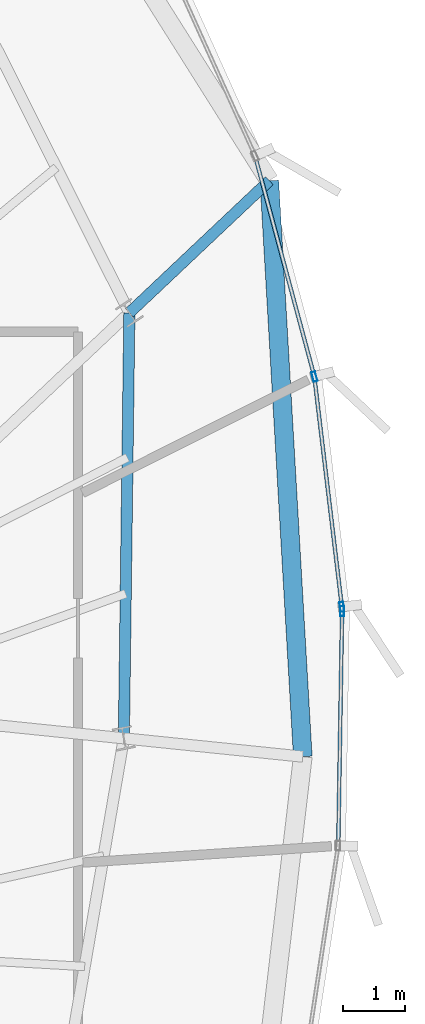
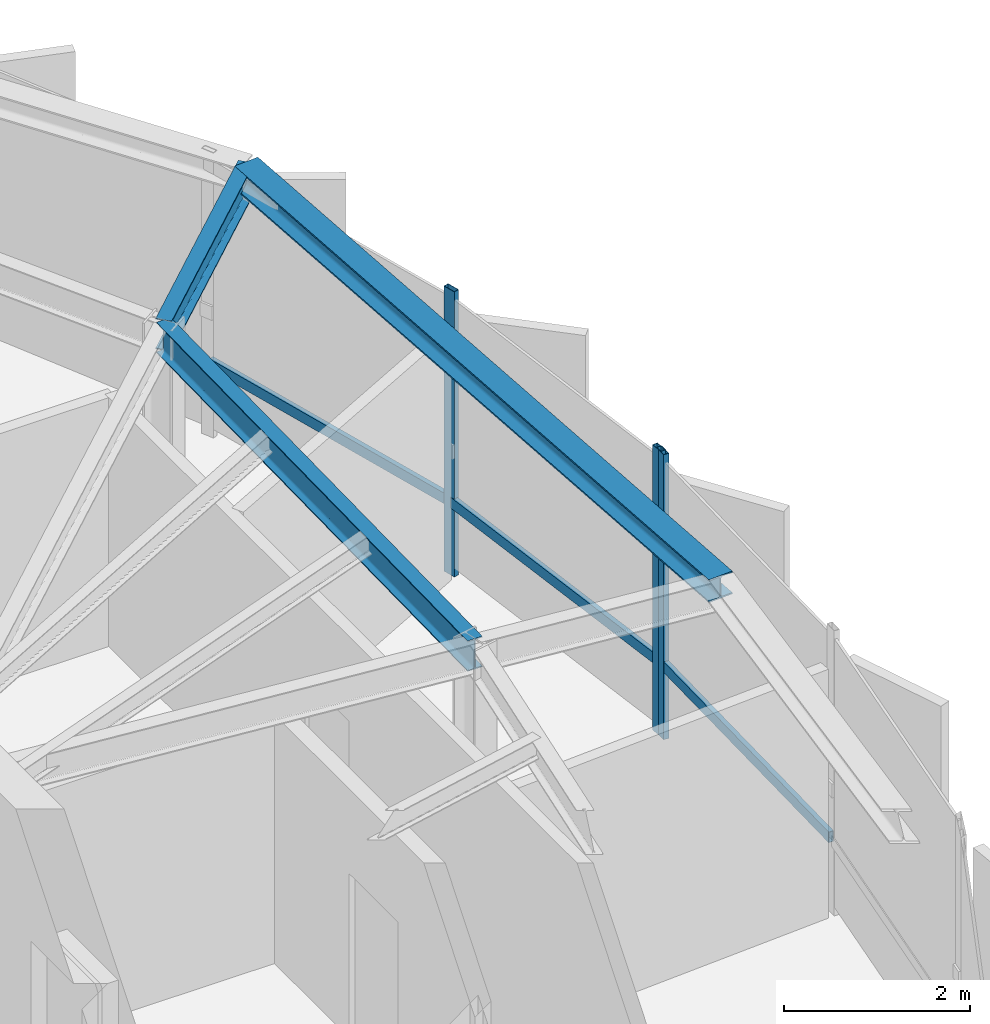
# One storey, part 13 of 27: 6 members, 3 beams, 2 elements without a shape of their own.
"""IFC4 building model written with IfcOpenShell, lengths in metres."""

import ifcopenshell
import ifcopenshell.guid

model = None  # the IFC model being written
_history = None  # IfcOwnerHistory: only IFC2X3 demands one
_inside = {}  # id of a spatial element -> (the spatial element, [elements in it])
_under = {}  # id of a project, library or spatial element -> (it, [spatial elements below it])
_declared = {}  # id of a project -> (the project, [libraries it declares])
_typed = {}  # id of a type object -> (the type object, [elements of that type])
_made_of = {}  # id of a material, layer set ... -> (it, [elements and type objects made of it])


def new_model(schema):
    """Start an empty IFC model of exactly this schema.

    Asked for "IFC4X3", IfcOpenShell would pick the latest addendum, in which some entities
    have other attributes; the version numbers below select the first issue.
    IFC2X3 requires an IfcOwnerHistory on every rooted entity: one is made here for all.
    """
    global model, _history
    if schema == "IFC4X3":
        model = ifcopenshell.file(schema_version=(4, 3, 0, 0))
    else:
        model = ifcopenshell.file(schema=schema)
    _inside.clear()
    _under.clear()
    _declared.clear()
    _typed.clear()
    _made_of.clear()
    _history = None
    if model.schema == "IFC2X3":
        org = make("IfcOrganization", Name="unknown")
        user = make(
            "IfcPersonAndOrganization",
            ThePerson=make("IfcPerson", FamilyName="unknown"),
            TheOrganization=org,
        )
        app = make(
            "IfcApplication",
            ApplicationDeveloper=org,
            Version="unknown",
            ApplicationFullName="unknown",
            ApplicationIdentifier="unknown",
        )
        _history = make(
            "IfcOwnerHistory",
            OwningUser=user,
            OwningApplication=app,
            ChangeAction="ADDED",
            CreationDate=0,
        )
    return model


def make(cls, **values):
    """One entity of the class cls with the attributes given. An attribute that is None is left unset."""
    return model.create_entity(
        cls, **{name: value for name, value in values.items() if value is not None}
    )


def rooted(cls, **values):
    """An entity with a GlobalId (a new one), such as an element, a storey or a relation."""
    return make(cls, GlobalId=ifcopenshell.guid.new(), OwnerHistory=_history, **values)


def si_unit(unit_type, name, prefix=None):
    """IfcSIUnit, for example si_unit("LENGTHUNIT", "METRE", prefix="MILLI")."""
    return make("IfcSIUnit", UnitType=unit_type, Prefix=prefix, Name=name)


def assignment(units):
    """IfcUnitAssignment: the units of a project."""
    return None if units is None else make("IfcUnitAssignment", Units=units)


def point(xyz):
    """IfcCartesianPoint."""
    return None if xyz is None else make("IfcCartesianPoint", Coordinates=xyz)


def direction(xyz):
    """IfcDirection."""
    return None if xyz is None else make("IfcDirection", DirectionRatios=xyz)


def frame(location, z_axis=None, x_axis=None):
    """IfcAxis2Placement3D, a coordinate frame: its origin and axes. An axis left out is left unset."""
    return make(
        "IfcAxis2Placement3D",
        Location=point(location),
        Axis=direction(z_axis),
        RefDirection=direction(x_axis),
    )


def frame_2d(location, x_axis=None):
    """IfcAxis2Placement2D, a coordinate frame in the plane: its origin and x axis."""
    return make(
        "IfcAxis2Placement2D", Location=point(location), RefDirection=direction(x_axis)
    )


def origin():
    """The frame at (0, 0, 0) with its axes left unset."""
    return frame((0.0, 0.0, 0.0))


def origin_2d():
    """The frame at (0, 0) in the plane with its x axis left unset."""
    return frame_2d((0.0, 0.0))


def place(relative_to, where):
    """IfcLocalPlacement: puts the frame where relative to a parent placement (None: the world)."""
    return make(
        "IfcLocalPlacement", PlacementRelTo=relative_to, RelativePlacement=where
    )


def context(
    kind, dimensions, precision=None, world=None, true_north=None, identifier=None
):
    """IfcGeometricRepresentationContext, for example the 3D "Model" context."""
    return make(
        "IfcGeometricRepresentationContext",
        ContextIdentifier=identifier,
        ContextType=kind,
        CoordinateSpaceDimension=dimensions,
        Precision=precision,
        WorldCoordinateSystem=world,
        TrueNorth=true_north,
    )


def subcontext(parent, identifier, kind, view, scale=None):
    """IfcGeometricRepresentationSubContext, for example "Body" below "Model"."""
    return make(
        "IfcGeometricRepresentationSubContext",
        ContextIdentifier=identifier,
        ContextType=kind,
        ParentContext=parent,
        TargetScale=scale,
        TargetView=view,
    )


def project(units=None, contexts=None):
    """IfcProject with its units and contexts."""
    return rooted(
        "IfcProject",
        Name="project",
        RepresentationContexts=contexts,
        UnitsInContext=assignment(units),
    )


def spatial(cls, under=None, at=None, **own):
    """A site, building, storey or space (cls), placed at a placement, below another one or the project."""
    s = rooted(cls, ObjectPlacement=at, **own)
    if under is not None:
        _under.setdefault(under.id(), (under, []))[1].append(s)
    return s


def profile(cls, at=None, kind="AREA", **sizes):
    """A parametric profile (cls). Its sizes go by their IFC names, for example OverallWidth=200.0."""
    return make(cls, ProfileType=kind, Position=at, **sizes)


def hollow_rectangle(**sizes):
    """IfcRectangleHollowProfileDef."""
    return profile("IfcRectangleHollowProfileDef", **sizes)


def i_section(**sizes):
    """IfcIShapeProfileDef."""
    return profile("IfcIShapeProfileDef", **sizes)


def extrude(swept, where, along, depth):
    """IfcExtrudedAreaSolid: the profile swept, set in the frame where, extruded along a direction by depth."""
    return make(
        "IfcExtrudedAreaSolid",
        SweptArea=swept,
        Position=where,
        ExtrudedDirection=direction(along),
        Depth=depth,
    )


def shape(context_of_items, identifier, shape_type, items):
    """IfcShapeRepresentation: the items that make up one representation, for example the "Body"."""
    return make(
        "IfcShapeRepresentation",
        ContextOfItems=context_of_items,
        RepresentationIdentifier=identifier,
        RepresentationType=shape_type,
        Items=items,
    )


def source(mapping_origin, context_of_items, identifier, shape_type, items):
    """IfcRepresentationMap: a shape defined once, which mapped items show again and again."""
    return make(
        "IfcRepresentationMap",
        MappingOrigin=mapping_origin,
        MappedRepresentation=shape(context_of_items, identifier, shape_type, items),
    )


def transform(
    local_origin,
    x_axis=None,
    y_axis=None,
    z_axis=None,
    scale=None,
    scale2=None,
    scale3=None,
    uniform=True,
):
    """IfcCartesianTransformationOperator3D, or its non-uniform kind. x_axis, y_axis, z_axis: its Axis1, 2, 3."""
    if uniform:
        return make(
            "IfcCartesianTransformationOperator3D",
            Axis1=direction(x_axis),
            Axis2=direction(y_axis),
            LocalOrigin=point(local_origin),
            Scale=scale,
            Axis3=direction(z_axis),
        )
    return make(
        "IfcCartesianTransformationOperator3DnonUniform",
        Axis1=direction(x_axis),
        Axis2=direction(y_axis),
        LocalOrigin=point(local_origin),
        Scale=scale,
        Axis3=direction(z_axis),
        Scale2=scale2,
        Scale3=scale3,
    )


def mapped(mapping_source, mapping_target):
    """IfcMappedItem: shows the shape of a source again, moved by a transform."""
    return make(
        "IfcMappedItem", MappingSource=mapping_source, MappingTarget=mapping_target
    )


def material(Name=None, Category=None):
    """IfcMaterial."""
    return make("IfcMaterial", Name=Name, Category=Category)


def layer(
    of_material, thickness, ventilated=None, Name=None, Category=None, Priority=None
):
    """IfcMaterialLayer: one layer of a wall or slab, of a material (None: an air gap)."""
    return make(
        "IfcMaterialLayer",
        Material=of_material,
        LayerThickness=thickness,
        IsVentilated=ventilated,
        Name=Name,
        Category=Category,
        Priority=Priority,
    )


def layer_set(layers, Name=None):
    """IfcMaterialLayerSet."""
    return make("IfcMaterialLayerSet", MaterialLayers=layers, LayerSetName=Name)


def material_profile(
    of_material, cross_section, Name=None, Category=None, Priority=None
):
    """IfcMaterialProfile: a cross section and its material."""
    return make(
        "IfcMaterialProfile",
        Name=Name,
        Material=of_material,
        Profile=cross_section,
        Priority=Priority,
        Category=Category,
    )


def profile_set(profiles, Name=None, composite=None):
    """IfcMaterialProfileSet."""
    return make(
        "IfcMaterialProfileSet",
        Name=Name,
        MaterialProfiles=profiles,
        CompositeProfile=composite,
    )


def made_of(thing, what):
    """Note that an element or type object is made of a material, layer set ...; save() writes the relation."""
    if what is not None:
        _made_of.setdefault(what.id(), (what, []))[1].append(thing)
    return thing


def type_object(cls, material=None, **own):
    """A type object (cls), such as IfcWallType, which elements share."""
    return made_of(rooted(cls, **own), material)


def element(
    cls,
    number,
    at=None,
    inside=None,
    cuts=None,
    type_object=None,
    material=None,
    context=None,
    identifier="Body",
    shape_type=None,
    held_by="IfcProductDefinitionShape",
    body=None,
    shapes=None,
    **own,
):
    """One element of the class cls, such as IfcWall. Its Tag is "e" and its number.

    at: its placement. inside: the storey or other place that contains it. cuts: it is an
    opening in that element (IfcRelVoidsElement). A single representation is given by context,
    identifier, shape_type and body (its items); several are given by shapes. held_by: the class
    of the entity that holds the representations. save() writes the other relations.
    """
    e = rooted(cls, Tag="e%d" % number, ObjectPlacement=at, **own)
    if body is not None:
        shapes = [shape(context, identifier, shape_type, body)]
    if shapes is not None:
        e.Representation = make(held_by, Representations=shapes)
    if inside is not None:
        _inside.setdefault(inside.id(), (inside, []))[1].append(e)
    if cuts is not None:
        rooted(
            "IfcRelVoidsElement", RelatingBuildingElement=cuts, RelatedOpeningElement=e
        )
    if type_object is not None:
        _typed.setdefault(type_object.id(), (type_object, []))[1].append(e)
    return made_of(e, material)


def aggregate(whole, parts):
    """IfcRelAggregates: a whole, such as a stair, and the parts it consists of."""
    return rooted("IfcRelAggregates", RelatingObject=whole, RelatedObjects=parts)


def save(model, path):
    """Write the relations noted so far, then the file.

    IfcRelAggregates (storeys below a building ...), IfcRelContainedInSpatialStructure (elements
    in a storey), IfcRelDefinesByType, IfcRelAssociatesMaterial and IfcRelDeclares: one each for
    every whole, place, type object, material and project.
    """
    for whole, parts in _under.values():
        aggregate(whole, parts)
    for where, things in _inside.values():
        rooted(
            "IfcRelContainedInSpatialStructure",
            RelatedElements=things,
            RelatingStructure=where,
        )
    for kind, things in _typed.values():
        rooted("IfcRelDefinesByType", RelatedObjects=things, RelatingType=kind)
    for what, things in _made_of.values():
        rooted("IfcRelAssociatesMaterial", RelatedObjects=things, RelatingMaterial=what)
    for by, libraries in _declared.values():
        rooted("IfcRelDeclares", RelatingContext=by, RelatedDefinitions=libraries)
    model.write(path)


model = new_model("IFC4")

# Units and contexts
model_context = context("Model", 3, precision=1e-05, world=origin(), true_north=direction((0.0, 1.0)))
body_context = subcontext(model_context, "Body", "Model", "MODEL_VIEW")
ifc_project = project(units=[si_unit("LENGTHUNIT", "METRE"), si_unit("AREAUNIT", "SQUARE_METRE"), si_unit("VOLUMEUNIT", "CUBIC_METRE"), si_unit("PLANEANGLEUNIT", "RADIAN"), si_unit("MASSUNIT", "GRAM", prefix="KILO"), si_unit("THERMODYNAMICTEMPERATUREUNIT", "KELVIN")], contexts=[model_context])

# Site, building, storey
site_placement = place(None, origin())
site = spatial("IfcSite", under=ifc_project, at=site_placement, CompositionType="ELEMENT")
building_placement = place(site_placement, origin())
building = spatial("IfcBuilding", under=site, at=building_placement, Name="Kethvar Cultural Tower", CompositionType="ELEMENT")
storey_placement = place(building_placement, frame((0.0, 0.0, 312.300048828125)))
storey = spatial("IfcBuildingStorey", under=building, at=storey_placement, Name="L83", CompositionType="ELEMENT", Elevation=312.300048828125)

# Beams
ifc_material_1 = material(Name="Steel S355J2", Category="steel")
ifc_material_profile_1 = material_profile(ifc_material_1, i_section(OverallWidth=0.179931640625, OverallDepth=0.39990234375, WebThickness=0.008544921875, FlangeThickness=0.013427734375, FilletRadius=0.02099609375, at=origin_2d()), Name="Steel S355J2 — IPE400")
ifc_profile_set_1 = profile_set([ifc_material_profile_1], Name="Steel S355J2 — IPE400")
beam_type_1 = type_object("IfcBeamType", Name="BM-IPE400", PredefinedType="BEAM", material=ifc_profile_set_1)
shared_shape_1 = source(origin(), body_context, "Body", "SweptSolid", [
    extrude(i_section(OverallWidth=0.179931640625, OverallDepth=0.39990234375, WebThickness=0.008544921875, FlangeThickness=0.013427734375, FilletRadius=0.02099609375, at=origin_2d()), origin(), (0.0, 0.0, 1.0), 6.834716796875),
])
beam_1_placement = place(storey_placement, frame((61.237060546875, 30.671630859375, 3.532958984375), z_axis=(0.012966437445, 0.999915932216, 0.0), x_axis=(-0.999915932216, 0.012966437445, 0.0)))
element("IfcBeam", 1, at=beam_1_placement, inside=storey, type_object=beam_type_1, Name="L83 Column Ring Tie Beam CR-01", PredefinedType="BEAM", context=body_context, shape_type="MappedRepresentation", body=[
    mapped(shared_shape_1, transform((0.0, 0.0, 0.0), scale=1.0)),
])
shared_shape_2 = source(origin(), body_context, "Body", "SweptSolid", [
    extrude(i_section(OverallWidth=0.179931640625, OverallDepth=0.39990234375, WebThickness=0.008544921875, FlangeThickness=0.013427734375, FilletRadius=0.02099609375, at=origin_2d()), origin(), (0.0, 0.0, 1.0), 3.09130859375),
])
beam_2_placement = place(storey_placement, frame((61.32568359375, 37.505859375, 3.532958984375), z_axis=(0.72715112403, 0.686477416104, 0.0), x_axis=(-0.686477416104, 0.72715112403, 0.0)))
element("IfcBeam", 2, at=beam_2_placement, inside=storey, type_object=beam_type_1, Name="L83 Perimeter Cantilever Beam RC-02", PredefinedType="BEAM", context=body_context, shape_type="MappedRepresentation", body=[
    mapped(shared_shape_2, transform((0.0, 0.0, 0.0), scale=1.0)),
])
ifc_material_profile_2 = material_profile(ifc_material_1, i_section(OverallWidth=0.300048828125, OverallDepth=0.300048828125, WebThickness=0.010986328125, FlangeThickness=0.01904296875, FilletRadius=0.027099609375, at=origin_2d()), Name="Steel S355J2 — HEB300")
ifc_profile_set_2 = profile_set([ifc_material_profile_2], Name="Steel S355J2 — HEB300")
beam_type_2 = type_object("IfcBeamType", Name="BM-SP300", PredefinedType="SPANDREL", material=ifc_profile_set_2)
shared_shape_3 = source(origin(), body_context, "Body", "SweptSolid", [
    extrude(i_section(OverallWidth=0.300048828125, OverallDepth=0.300048828125, WebThickness=0.010986328125, FlangeThickness=0.01904296875, FilletRadius=0.027099609375, at=origin_2d()), origin(), (0.0, 0.0, 1.0), 9.2666015625),
])
beam_3_placement = place(storey_placement, frame((64.11083984375, 30.376953125, 3.5830078125), z_axis=(-0.05798839552, 0.998317257181, 0.0), x_axis=(-0.998317257181, -0.05798839552, 0.0)))
element("IfcBeam", 3, at=beam_3_placement, inside=storey, type_object=beam_type_2, Name="L83 Perimeter Spandrel Beam SP-01", PredefinedType="SPANDREL", context=body_context, shape_type="MappedRepresentation", body=[
    mapped(shared_shape_3, transform((0.0, 0.0, 0.0), scale=1.0)),
])

# Curtain wall, member
ifc_material_2 = material(Name="Aluminium 6063-T6", Category="aluminium")
ifc_layer = layer(ifc_material_2, 0.179931640625, Name="Aluminium 6063-T6", Category="aluminium")
ifc_layer_set = layer_set([ifc_layer], Name="Aluminium 6063-T6 (180 mm)")
curtain_wall_type = type_object("IfcCurtainWallType", Name="CW-SYS-06-CROWN", PredefinedType="NOTDEFINED", material=ifc_layer_set)
curtain_wall_1_placement = place(storey_placement, origin())
curtain_wall_1 = element("IfcCurtainWall", 4, at=curtain_wall_1_placement, inside=storey, type_object=curtain_wall_type, Name="L83 Curtain Wall Run 05", PredefinedType="NOTDEFINED")
ifc_material_profile_3 = material_profile(ifc_material_2, hollow_rectangle(XDim=0.06494140625, YDim=0.159912109375, WallThickness=0.0048828125, at=origin_2d()), Name="Aluminium 6063-T6 — RHS160x65x5")
ifc_profile_set_3 = profile_set([ifc_material_profile_3], Name="Aluminium 6063-T6 — RHS160x65x5")
member_type_1 = type_object("IfcMemberType", Name="CW-SYS-06-CROWN-MUL", PredefinedType="MULLION", material=ifc_profile_set_3)
shared_shape_4 = source(origin(), body_context, "Body", "SweptSolid", [
    extrude(hollow_rectangle(XDim=0.06494140625, YDim=0.159912109375, WallThickness=0.0048828125, at=origin_2d()), origin(), (0.0, 0.0, 1.0), 3.73486328125),
])
member_1_placement = place(storey_placement, frame((64.742431640625, 32.71484375, 0.0), z_axis=(0.0, 0.0, 1.0), x_axis=(-0.999864562689, 0.01645771181, 0.0)))
member_1 = element("IfcMember", 5, at=member_1_placement, type_object=member_type_1, Name="CW-L83-R05 Mullion 7", PredefinedType="MULLION", context=body_context, shape_type="MappedRepresentation", body=[
    mapped(shared_shape_4, transform((0.0, 0.0, 0.0), scale=1.0)),
])

# Curtain wall, members
curtain_wall_2_placement = place(storey_placement, origin())
curtain_wall_2 = element("IfcCurtainWall", 6, at=curtain_wall_2_placement, inside=storey, type_object=curtain_wall_type, Name="L83 Curtain Wall Run 06", PredefinedType="NOTDEFINED")
member_2_placement = place(storey_placement, frame((64.739013671875, 32.782958984375, 0.0), z_axis=(0.0, 0.0, 1.0), x_axis=(-0.992911675856, -0.118854549554, 0.0)))
member_2 = element("IfcMember", 7, at=member_2_placement, type_object=member_type_1, Name="CW-L83-R06 Mullion 1", PredefinedType="MULLION", context=body_context, shape_type="MappedRepresentation", body=[
    mapped(shared_shape_4, transform((0.0, 0.0, 0.0), scale=1.0)),
])
member_3_placement = place(storey_placement, frame((64.297607421875, 36.480712890625, 0.0), z_axis=(0.0, 0.0, 1.0), x_axis=(-0.965699596295, -0.259661875744, 0.0)))
member_3 = element("IfcMember", 8, at=member_3_placement, type_object=member_type_1, Name="CW-L83-R06 Mullion 2", PredefinedType="MULLION", context=body_context, shape_type="MappedRepresentation", body=[
    mapped(shared_shape_4, transform((0.0, 0.0, 0.0), scale=1.0)),
])

# Member
ifc_material_profile_4 = material_profile(ifc_material_2, hollow_rectangle(XDim=0.06005859375, YDim=0.139892578125, WallThickness=0.0048828125, at=origin_2d()), Name="Aluminium 6063-T6 — RHS140x60x5")
ifc_profile_set_4 = profile_set([ifc_material_profile_4], Name="Aluminium 6063-T6 — RHS140x60x5")
member_type_2 = type_object("IfcMemberType", Name="CW-SYS-06-CROWN-TRN", PredefinedType="USERDEFINED", material=ifc_profile_set_4)
shared_shape_5 = source(origin(), body_context, "Body", "SweptSolid", [
    extrude(hollow_rectangle(XDim=0.06005859375, YDim=0.139892578125, WallThickness=0.0048828125, at=origin_2d()), origin(), (0.0, 0.0, 1.0), 3.7177734375),
])
member_4_placement = place(storey_placement, frame((64.68115234375, 28.9931640625, 0.949951171875), z_axis=(0.016417069993, 0.999865230825, 0.0), x_axis=(-0.999865230825, 0.016417069993, 0.0)))
member_4 = element("IfcMember", 9, at=member_4_placement, type_object=member_type_2, Name="CW-L83-R05 Transom 6", ObjectType="TRANSOM", PredefinedType="USERDEFINED", context=body_context, shape_type="MappedRepresentation", body=[
    mapped(shared_shape_5, transform((0.0, 0.0, 0.0), scale=1.0)),
])

aggregate(curtain_wall_1, [member_1, member_4])

shared_shape_6 = source(origin(), body_context, "Body", "SweptSolid", [
    extrude(hollow_rectangle(XDim=0.06005859375, YDim=0.139892578125, WallThickness=0.0048828125, at=origin_2d()), origin(), (0.0, 0.0, 1.0), 3.595703125),
])
member_5_placement = place(storey_placement, frame((64.285400390625, 36.52587890625, 0.949951171875), z_axis=(-0.259639870711, 0.965705512844, 0.0), x_axis=(-0.965705512844, -0.259639870711, 0.0)))
member_5 = element("IfcMember", 10, at=member_5_placement, type_object=member_type_2, Name="CW-L83-R06 Transom 2", ObjectType="TRANSOM", PredefinedType="USERDEFINED", context=body_context, shape_type="MappedRepresentation", body=[
    mapped(shared_shape_6, transform((0.0, 0.0, 0.0), scale=1.0)),
])

shared_shape_7 = source(origin(), body_context, "Body", "SweptSolid", [
    extrude(hollow_rectangle(XDim=0.06005859375, YDim=0.139892578125, WallThickness=0.0048828125, at=origin_2d()), origin(), (0.0, 0.0, 1.0), 3.68994140625),
])
member_6_placement = place(storey_placement, frame((64.73828125, 32.787353515625, 0.949951171875), z_axis=(-0.118829529437, 0.99291467052, 0.0), x_axis=(-0.99291467052, -0.118829529437, 0.0)))
member_6 = element("IfcMember", 11, at=member_6_placement, type_object=member_type_2, Name="CW-L83-R06 Transom 1", ObjectType="TRANSOM", PredefinedType="USERDEFINED", context=body_context, shape_type="MappedRepresentation", body=[
    mapped(shared_shape_7, transform((0.0, 0.0, 0.0), scale=1.0)),
])

aggregate(curtain_wall_2, [member_2, member_3, member_6, member_5])

save(model, "model.ifc")
